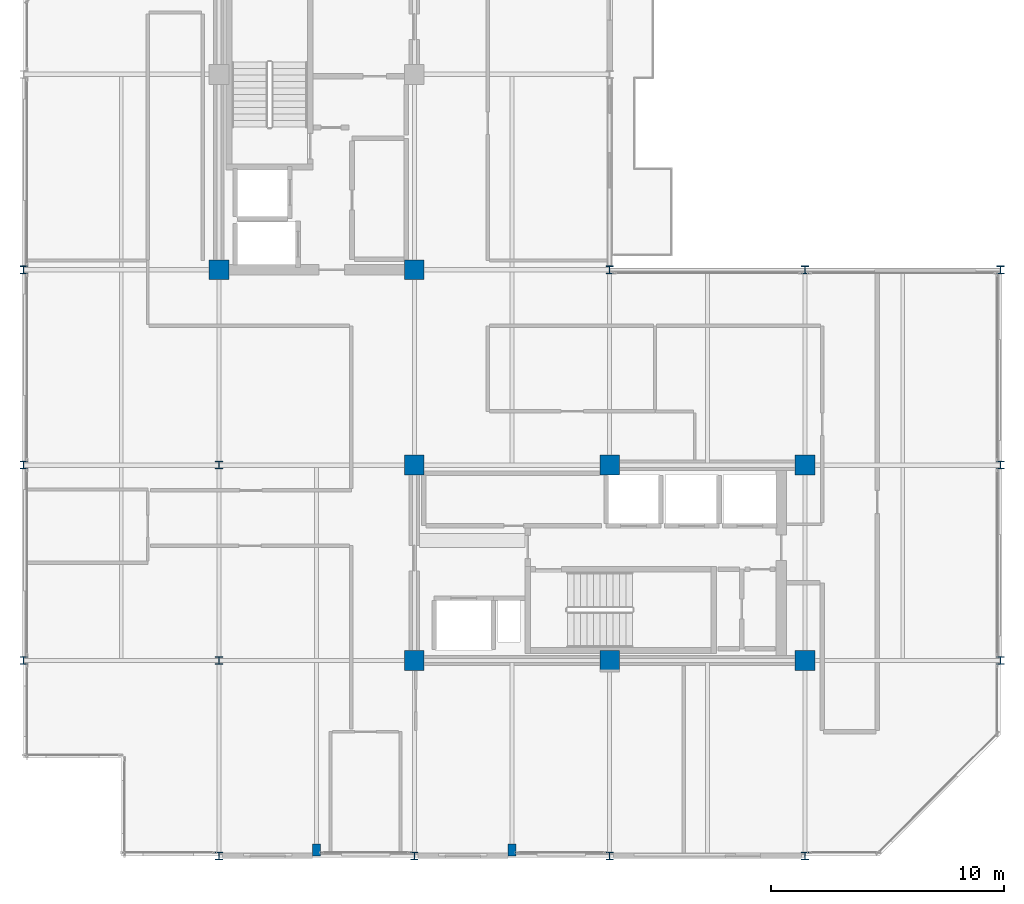
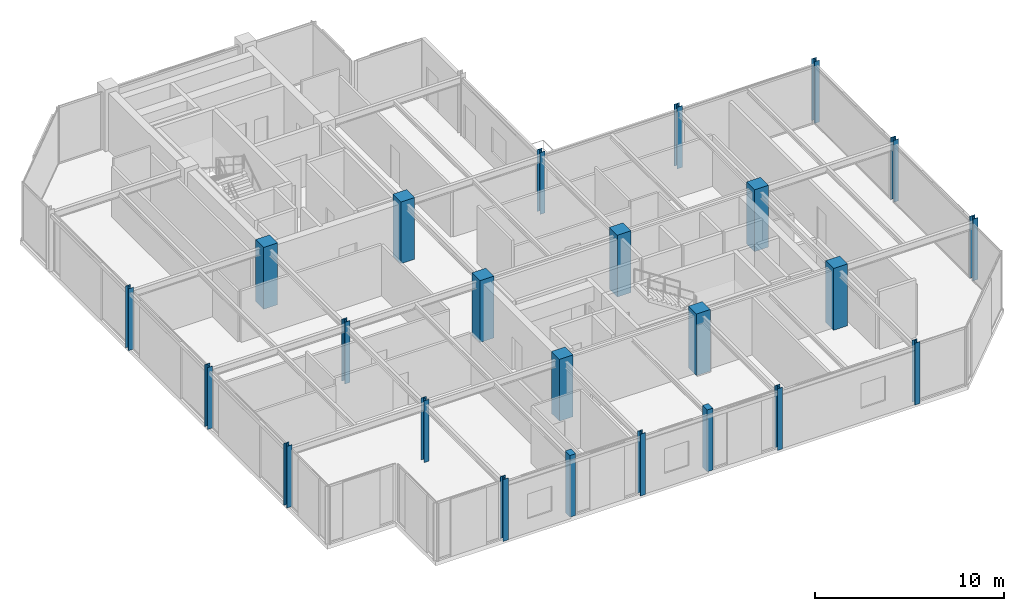
# One storey, part 1 of 26: 24 columns.
"""IFC4 building model written with IfcOpenShell, lengths in metres."""

import ifcopenshell
import ifcopenshell.guid

model = None  # the IFC model being written
_history = None  # IfcOwnerHistory: only IFC2X3 demands one
_inside = {}  # id of a spatial element -> (the spatial element, [elements in it])
_under = {}  # id of a project, library or spatial element -> (it, [spatial elements below it])
_declared = {}  # id of a project -> (the project, [libraries it declares])
_typed = {}  # id of a type object -> (the type object, [elements of that type])
_made_of = {}  # id of a material, layer set ... -> (it, [elements and type objects made of it])


def new_model(schema):
    """Start an empty IFC model of exactly this schema.

    Asked for "IFC4X3", IfcOpenShell would pick the latest addendum, in which some entities
    have other attributes; the version numbers below select the first issue.
    IFC2X3 requires an IfcOwnerHistory on every rooted entity: one is made here for all.
    """
    global model, _history
    if schema == "IFC4X3":
        model = ifcopenshell.file(schema_version=(4, 3, 0, 0))
    else:
        model = ifcopenshell.file(schema=schema)
    _inside.clear()
    _under.clear()
    _declared.clear()
    _typed.clear()
    _made_of.clear()
    _history = None
    if model.schema == "IFC2X3":
        org = make("IfcOrganization", Name="unknown")
        user = make(
            "IfcPersonAndOrganization",
            ThePerson=make("IfcPerson", FamilyName="unknown"),
            TheOrganization=org,
        )
        app = make(
            "IfcApplication",
            ApplicationDeveloper=org,
            Version="unknown",
            ApplicationFullName="unknown",
            ApplicationIdentifier="unknown",
        )
        _history = make(
            "IfcOwnerHistory",
            OwningUser=user,
            OwningApplication=app,
            ChangeAction="ADDED",
            CreationDate=0,
        )
    return model


def make(cls, **values):
    """One entity of the class cls with the attributes given. An attribute that is None is left unset."""
    return model.create_entity(
        cls, **{name: value for name, value in values.items() if value is not None}
    )


def rooted(cls, **values):
    """An entity with a GlobalId (a new one), such as an element, a storey or a relation."""
    return make(cls, GlobalId=ifcopenshell.guid.new(), OwnerHistory=_history, **values)


def si_unit(unit_type, name, prefix=None):
    """IfcSIUnit, for example si_unit("LENGTHUNIT", "METRE", prefix="MILLI")."""
    return make("IfcSIUnit", UnitType=unit_type, Prefix=prefix, Name=name)


def assignment(units):
    """IfcUnitAssignment: the units of a project."""
    return None if units is None else make("IfcUnitAssignment", Units=units)


def point(xyz):
    """IfcCartesianPoint."""
    return None if xyz is None else make("IfcCartesianPoint", Coordinates=xyz)


def direction(xyz):
    """IfcDirection."""
    return None if xyz is None else make("IfcDirection", DirectionRatios=xyz)


def frame(location, z_axis=None, x_axis=None):
    """IfcAxis2Placement3D, a coordinate frame: its origin and axes. An axis left out is left unset."""
    return make(
        "IfcAxis2Placement3D",
        Location=point(location),
        Axis=direction(z_axis),
        RefDirection=direction(x_axis),
    )


def frame_2d(location, x_axis=None):
    """IfcAxis2Placement2D, a coordinate frame in the plane: its origin and x axis."""
    return make(
        "IfcAxis2Placement2D", Location=point(location), RefDirection=direction(x_axis)
    )


def origin():
    """The frame at (0, 0, 0) with its axes left unset."""
    return frame((0.0, 0.0, 0.0))


def origin_2d():
    """The frame at (0, 0) in the plane with its x axis left unset."""
    return frame_2d((0.0, 0.0))


def place(relative_to, where):
    """IfcLocalPlacement: puts the frame where relative to a parent placement (None: the world)."""
    return make(
        "IfcLocalPlacement", PlacementRelTo=relative_to, RelativePlacement=where
    )


def context(
    kind, dimensions, precision=None, world=None, true_north=None, identifier=None
):
    """IfcGeometricRepresentationContext, for example the 3D "Model" context."""
    return make(
        "IfcGeometricRepresentationContext",
        ContextIdentifier=identifier,
        ContextType=kind,
        CoordinateSpaceDimension=dimensions,
        Precision=precision,
        WorldCoordinateSystem=world,
        TrueNorth=true_north,
    )


def subcontext(parent, identifier, kind, view, scale=None):
    """IfcGeometricRepresentationSubContext, for example "Body" below "Model"."""
    return make(
        "IfcGeometricRepresentationSubContext",
        ContextIdentifier=identifier,
        ContextType=kind,
        ParentContext=parent,
        TargetScale=scale,
        TargetView=view,
    )


def project(units=None, contexts=None):
    """IfcProject with its units and contexts."""
    return rooted(
        "IfcProject",
        Name="project",
        RepresentationContexts=contexts,
        UnitsInContext=assignment(units),
    )


def spatial(cls, under=None, at=None, **own):
    """A site, building, storey or space (cls), placed at a placement, below another one or the project."""
    s = rooted(cls, ObjectPlacement=at, **own)
    if under is not None:
        _under.setdefault(under.id(), (under, []))[1].append(s)
    return s


def profile(cls, at=None, kind="AREA", **sizes):
    """A parametric profile (cls). Its sizes go by their IFC names, for example OverallWidth=200.0."""
    return make(cls, ProfileType=kind, Position=at, **sizes)


def rectangle(**sizes):
    """IfcRectangleProfileDef."""
    return profile("IfcRectangleProfileDef", **sizes)


def i_section(**sizes):
    """IfcIShapeProfileDef."""
    return profile("IfcIShapeProfileDef", **sizes)


def extrude(swept, where, along, depth):
    """IfcExtrudedAreaSolid: the profile swept, set in the frame where, extruded along a direction by depth."""
    return make(
        "IfcExtrudedAreaSolid",
        SweptArea=swept,
        Position=where,
        ExtrudedDirection=direction(along),
        Depth=depth,
    )


def shape(context_of_items, identifier, shape_type, items):
    """IfcShapeRepresentation: the items that make up one representation, for example the "Body"."""
    return make(
        "IfcShapeRepresentation",
        ContextOfItems=context_of_items,
        RepresentationIdentifier=identifier,
        RepresentationType=shape_type,
        Items=items,
    )


def material(Name=None, Category=None):
    """IfcMaterial."""
    return make("IfcMaterial", Name=Name, Category=Category)


def material_profile(
    of_material, cross_section, Name=None, Category=None, Priority=None
):
    """IfcMaterialProfile: a cross section and its material."""
    return make(
        "IfcMaterialProfile",
        Name=Name,
        Material=of_material,
        Profile=cross_section,
        Priority=Priority,
        Category=Category,
    )


def profile_set(profiles, Name=None, composite=None):
    """IfcMaterialProfileSet."""
    return make(
        "IfcMaterialProfileSet",
        Name=Name,
        MaterialProfiles=profiles,
        CompositeProfile=composite,
    )


def made_of(thing, what):
    """Note that an element or type object is made of a material, layer set ...; save() writes the relation."""
    if what is not None:
        _made_of.setdefault(what.id(), (what, []))[1].append(thing)
    return thing


def type_object(cls, material=None, **own):
    """A type object (cls), such as IfcWallType, which elements share."""
    return made_of(rooted(cls, **own), material)


def element(
    cls,
    number,
    at=None,
    inside=None,
    cuts=None,
    type_object=None,
    material=None,
    context=None,
    identifier="Body",
    shape_type=None,
    held_by="IfcProductDefinitionShape",
    body=None,
    shapes=None,
    **own,
):
    """One element of the class cls, such as IfcWall. Its Tag is "e" and its number.

    at: its placement. inside: the storey or other place that contains it. cuts: it is an
    opening in that element (IfcRelVoidsElement). A single representation is given by context,
    identifier, shape_type and body (its items); several are given by shapes. held_by: the class
    of the entity that holds the representations. save() writes the other relations.
    """
    e = rooted(cls, Tag="e%d" % number, ObjectPlacement=at, **own)
    if body is not None:
        shapes = [shape(context, identifier, shape_type, body)]
    if shapes is not None:
        e.Representation = make(held_by, Representations=shapes)
    if inside is not None:
        _inside.setdefault(inside.id(), (inside, []))[1].append(e)
    if cuts is not None:
        rooted(
            "IfcRelVoidsElement", RelatingBuildingElement=cuts, RelatedOpeningElement=e
        )
    if type_object is not None:
        _typed.setdefault(type_object.id(), (type_object, []))[1].append(e)
    return made_of(e, material)


def aggregate(whole, parts):
    """IfcRelAggregates: a whole, such as a stair, and the parts it consists of."""
    return rooted("IfcRelAggregates", RelatingObject=whole, RelatedObjects=parts)


def save(model, path):
    """Write the relations noted so far, then the file.

    IfcRelAggregates (storeys below a building ...), IfcRelContainedInSpatialStructure (elements
    in a storey), IfcRelDefinesByType, IfcRelAssociatesMaterial and IfcRelDeclares: one each for
    every whole, place, type object, material and project.
    """
    for whole, parts in _under.values():
        aggregate(whole, parts)
    for where, things in _inside.values():
        rooted(
            "IfcRelContainedInSpatialStructure",
            RelatedElements=things,
            RelatingStructure=where,
        )
    for kind, things in _typed.values():
        rooted("IfcRelDefinesByType", RelatedObjects=things, RelatingType=kind)
    for what, things in _made_of.values():
        rooted("IfcRelAssociatesMaterial", RelatedObjects=things, RelatingMaterial=what)
    for by, libraries in _declared.values():
        rooted("IfcRelDeclares", RelatingContext=by, RelatedDefinitions=libraries)
    model.write(path)


model = new_model("IFC4")

# Units and contexts
model_context = context("Model", 3, precision=1e-05, world=origin(), true_north=direction((0.0, 1.0)))
body_context = subcontext(model_context, "Body", "Model", "MODEL_VIEW")
ifc_project = project(units=[si_unit("LENGTHUNIT", "METRE"), si_unit("AREAUNIT", "SQUARE_METRE"), si_unit("VOLUMEUNIT", "CUBIC_METRE"), si_unit("PLANEANGLEUNIT", "RADIAN"), si_unit("MASSUNIT", "GRAM", prefix="KILO")], contexts=[model_context])

# Site, building, storey
site_placement = place(None, origin())
site = spatial("IfcSite", under=ifc_project, at=site_placement, CompositionType="ELEMENT")
building_placement = place(site_placement, origin())
building = spatial("IfcBuilding", under=site, at=building_placement, Name="Nerrivon Quay Data Exchange", CompositionType="ELEMENT")
storey_placement = place(building_placement, frame((0.0, 0.0, 270.199951171875)))
storey = spatial("IfcBuildingStorey", under=building, at=storey_placement, Name="L64", CompositionType="ELEMENT", Elevation=270.199951171875)

# Columns
ifc_material_1 = material(Name="Concrete N50 (50 MPa)", Category="concrete")
ifc_material_profile_1 = material_profile(ifc_material_1, rectangle(XDim=0.85009765625, YDim=0.85009765625, at=origin_2d()), Name="RC-COL-850x850")
ifc_profile_set_1 = profile_set([ifc_material_profile_1], Name="Concrete N50 (50 MPa)")
column_type_1 = type_object("IfcColumnType", Name="COL-C5-850", PredefinedType="COLUMN", material=ifc_profile_set_1)
for number, where, z_axis, x_axis, name in (
    (1, (8.39990234375, 25.199951171875, 0.0), (0.0, 0.0, 1.0), (1.0, 0.0, 0.0), "L64 Column (8.4,25.2)"),
    (2, (16.800048828125, 8.39990234375, 0.0), (0.0, 0.0, 1.0), (1.0, 0.0, 0.0), "L64 Column (16.8,8.4)"),
    (3, (16.800048828125, 16.800048828125, 0.0), (0.0, 0.0, 1.0), (1.0, 0.0, 0.0), "L64 Column (16.8,16.8)"),
    (4, (16.800048828125, 25.199951171875, 0.0), (0.0, 0.0, 1.0), (1.0, 0.0, 0.0), "L64 Column (16.8,25.2)"),
    (5, (25.199951171875, 8.39990234375, 0.0), (0.0, 0.0, 1.0), (1.0, 0.0, 0.0), "L64 Column (25.2,8.4)"),
    (6, (25.199951171875, 16.800048828125, 0.0), (0.0, 0.0, 1.0), (1.0, 0.0, 0.0), "L64 Column (25.2,16.8)"),
    (7, (33.60009765625, 8.39990234375, 0.0), (0.0, 0.0, 1.0), (1.0, 0.0, 0.0), "L64 Column (33.6,8.4)"),
    (8, (33.60009765625, 16.800048828125, 0.0), (0.0, 0.0, 1.0), (1.0, 0.0, 0.0), "L64 Column (33.6,16.8)"),
):
    element("IfcColumn", number, at=place(storey_placement, frame(where, z_axis=z_axis, x_axis=x_axis)), inside=storey, type_object=column_type_1, Name=name, PredefinedType="COLUMN", context=body_context, shape_type="SweptSolid", body=[
        extrude(rectangle(XDim=0.85009765625, YDim=0.85009765625, at=origin_2d()), origin(), (0.0, 0.0, 1.0), 4.0),
    ])
ifc_material_2 = material(Name="Steel Grade 350", Category="steel")
ifc_material_profile_2 = material_profile(ifc_material_2, i_section(OverallWidth=0.31103515625, OverallDepth=0.326904296875, WebThickness=0.015625, FlangeThickness=0.02490234375, FilletRadius=0.0166015625, at=origin_2d()), Name="310UC158")
ifc_profile_set_2 = profile_set([ifc_material_profile_2], Name="Steel Grade 350")
column_type_2 = type_object("IfcColumnType", Name="COL-SC4-310UC158", PredefinedType="COLUMN", material=ifc_profile_set_2)
for number, where, z_axis, x_axis, name in (
    (9, (0.0, 8.39990234375, 0.0), (0.0, 0.0, 1.0), (1.0, 0.0, 0.0), "L64 Column (0.0,8.4)"),
    (10, (0.0, 16.800048828125, 0.0), (0.0, 0.0, 1.0), (1.0, 0.0, 0.0), "L64 Column (0.0,16.8)"),
    (11, (0.0, 25.199951171875, 0.0), (0.0, 0.0, 1.0), (1.0, 0.0, 0.0), "L64 Column (0.0,25.2)"),
    (12, (8.39990234375, 0.0, 0.0), (0.0, 0.0, 1.0), (1.0, 0.0, 0.0), "L64 Column (8.4,0.0)"),
    (13, (8.39990234375, 8.39990234375, 0.0), (0.0, 0.0, 1.0), (1.0, 0.0, 0.0), "L64 Column (8.4,8.4)"),
    (14, (8.39990234375, 16.800048828125, 0.0), (0.0, 0.0, 1.0), (1.0, 0.0, 0.0), "L64 Column (8.4,16.8)"),
    (15, (16.800048828125, 0.0, 0.0), (0.0, 0.0, 1.0), (1.0, 0.0, 0.0), "L64 Column (16.8,0.0)"),
    (16, (25.199951171875, 0.0, 0.0), (0.0, 0.0, 1.0), (1.0, 0.0, 0.0), "L64 Column (25.2,0.0)"),
    (17, (25.199951171875, 25.199951171875, 0.0), (0.0, 0.0, 1.0), (1.0, 0.0, 0.0), "L64 Column (25.2,25.2)"),
    (18, (33.60009765625, 0.0, 0.0), (0.0, 0.0, 1.0), (1.0, 0.0, 0.0), "L64 Column (33.6,0.0)"),
    (19, (33.60009765625, 25.199951171875, 0.0), (0.0, 0.0, 1.0), (1.0, 0.0, 0.0), "L64 Column (33.6,25.2)"),
    (20, (42.0, 8.39990234375, 0.0), (0.0, 0.0, 1.0), (1.0, 0.0, 0.0), "L64 Column (42.0,8.4)"),
    (21, (42.0, 16.800048828125, 0.0), (0.0, 0.0, 1.0), (1.0, 0.0, 0.0), "L64 Column (42.0,16.8)"),
    (22, (42.0, 25.199951171875, 0.0), (0.0, 0.0, 1.0), (1.0, 0.0, 0.0), "L64 Column (42.0,25.2)"),
):
    element("IfcColumn", number, at=place(storey_placement, frame(where, z_axis=z_axis, x_axis=x_axis)), inside=storey, type_object=column_type_2, Name=name, PredefinedType="COLUMN", context=body_context, shape_type="SweptSolid", body=[
        extrude(i_section(OverallWidth=0.31103515625, OverallDepth=0.326904296875, WebThickness=0.015625, FlangeThickness=0.02490234375, FilletRadius=0.0166015625, at=origin_2d()), origin(), (0.0, 0.0, 1.0), 4.0),
    ])
ifc_material_profile_3 = material_profile(ifc_material_1, rectangle(XDim=0.35009765625, YDim=0.5, at=origin_2d()), Name="RC-PIL-500x350")
ifc_profile_set_3 = profile_set([ifc_material_profile_3], Name="Concrete N50 (50 MPa)")
column_type_3 = type_object("IfcColumnType", Name="PIL-P2-500x350", PredefinedType="PILASTER", material=ifc_profile_set_3)
for number, where, z_axis, x_axis, name in (
    (23, (12.60009765625, 0.25, 0.0), (0.0, 0.0, 1.0), (1.0, 0.0, 0.0), "L64 Facade Pilaster (12.6)"),
    (24, (21.0, 0.25, 0.0), (0.0, 0.0, 1.0), (1.0, 0.0, 0.0), "L64 Facade Pilaster (21.0)"),
):
    element("IfcColumn", number, at=place(storey_placement, frame(where, z_axis=z_axis, x_axis=x_axis)), inside=storey, type_object=column_type_3, Name=name, PredefinedType="PILASTER", context=body_context, shape_type="SweptSolid", body=[
        extrude(rectangle(XDim=0.35009765625, YDim=0.5, at=origin_2d()), origin(), (0.0, 0.0, 1.0), 4.0),
    ])

save(model, "model.ifc")
